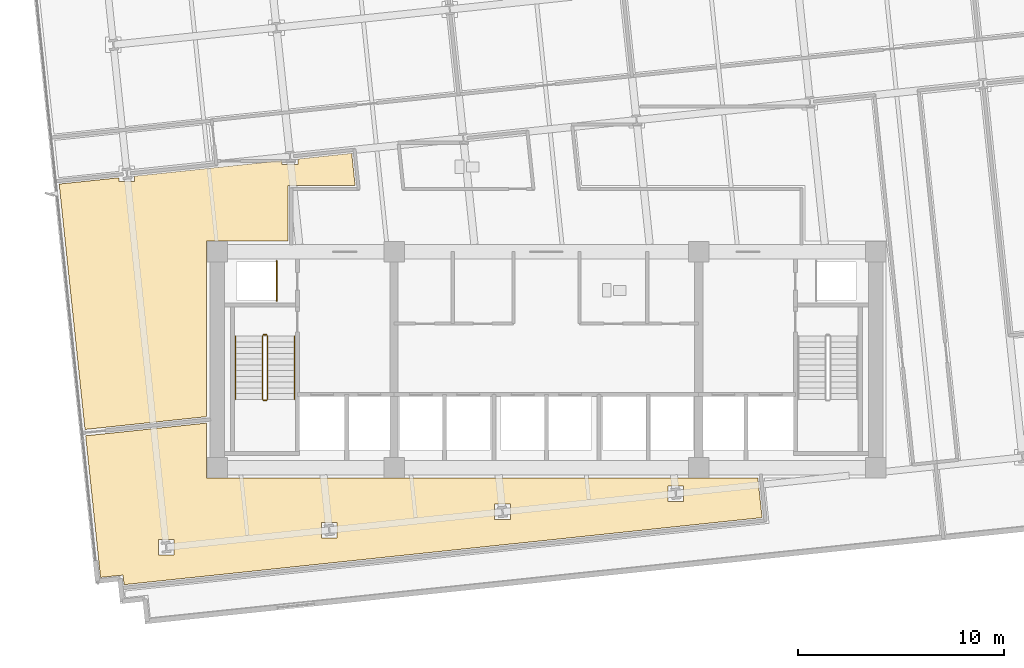
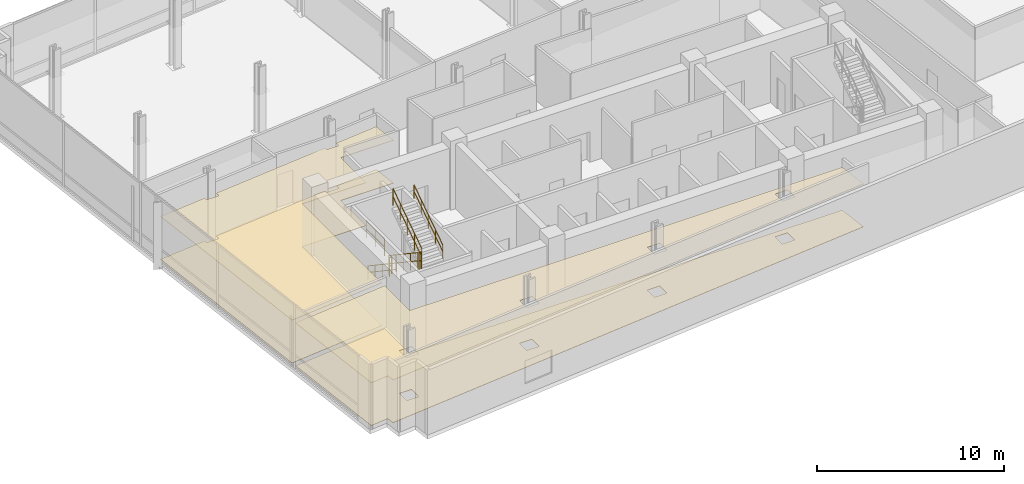
# One storey, part 16 of 20: 7 railings, 4 coverings.
"""IFC4 building model written with IfcOpenShell, lengths in metres."""

from ifc_helpers import new_model, si_unit, direction, frame, origin, origin_2d, place, context, subcontext, project, spatial, polyline, circle, outline, extrude, material, layer, layer_set, type_object, element, save


model = new_model("IFC4")

# Units and contexts
model_context = context("Model", 3, precision=1e-05, world=origin(), true_north=direction((0.0, 1.0)))
body_context = subcontext(model_context, "Body", "Model", "MODEL_VIEW")
ifc_project = project(units=[si_unit("LENGTHUNIT", "METRE"), si_unit("AREAUNIT", "SQUARE_METRE"), si_unit("VOLUMEUNIT", "CUBIC_METRE"), si_unit("PLANEANGLEUNIT", "RADIAN"), si_unit("MASSUNIT", "GRAM", prefix="KILO")], contexts=[model_context])

# Site, building, storey
site_placement = place(None, origin())
site = spatial("IfcSite", under=ifc_project, at=site_placement, CompositionType="ELEMENT")
building_placement = place(site_placement, origin())
building = spatial("IfcBuilding", under=site, at=building_placement, Name="Solmavex Isthmus Hotel", CompositionType="ELEMENT")
storey_placement = place(building_placement, frame((0.0, 0.0, 101.85009765625)))
storey = spatial("IfcBuildingStorey", under=building, at=storey_placement, Name="L27", CompositionType="ELEMENT", Elevation=101.85009765625)

# Coverings
ifc_material_1 = material(Name="Gypsum plasterboard lining", Category="gypsum")
ifc_layer_1 = layer(ifc_material_1, 0.030029296875)
ifc_layer_set_1 = layer_set([ifc_layer_1], Name="Gypsum plasterboard lining")
covering_type_1 = type_object("IfcCoveringType", Name="COV-CEIL-GYP", PredefinedType="CEILING", material=ifc_layer_set_1)
covering_1_placement = place(storey_placement, frame((0.0, 0.0, 2.7998046875)))
element("IfcCovering", 1, at=covering_1_placement, inside=storey, type_object=covering_type_1, Name="Suspended Acoustic Ceiling L27-FL08", PredefinedType="CEILING", context=body_context, shape_type="SweptSolid", body=[
    extrude(outline(polyline([(-20.003173828125, 1.169921875), (-20.003173828125, 0.90576171875), (-20.76318359375, 0.90576171875), (-20.76318359375, 1.08984375), (-23.673583984375, 0.783935546875), (-23.05224609375, -5.12841796875), (-22.42041015625, -11.140380859375), (-16.5048828125, -10.5185546875), (-16.5048828125, -1.9951171875), (-12.554931640625, -1.9951171875), (-12.554931640625, 0.705078125), (-9.295654296875, 0.705078125), (-9.4609375, 2.27783203125), (-12.078857421875, 2.002685546875), (-12.078857421875, 1.738525390625), (-12.8388671875, 1.738525390625), (-12.8388671875, 1.9228515625), (-20.003173828125, 1.169921875)])), origin(), (0.0, 0.0, 1.0), 0.030029296875),
])
covering_2_placement = place(storey_placement, frame((0.0, 0.0, 2.7998046875)))
element("IfcCovering", 2, at=covering_2_placement, inside=storey, type_object=covering_type_1, Name="Suspended Acoustic Ceiling L27-FL10", PredefinedType="CEILING", context=body_context, shape_type="SweptSolid", body=[
    extrude(outline(polyline([(-20.57080078125, -18.2158203125), (-20.521484375, -18.68310546875), (10.477783203125, -15.425048828125), (10.27587890625, -13.5048828125), (-16.5048828125, -13.5048828125), (-16.5048828125, -10.830322265625), (-22.387939453125, -11.448486328125), (-21.7509765625, -17.51025390625), (-21.66455078125, -18.33056640625), (-20.57080078125, -18.2158203125)]), holes=[polyline([(5.908203125, -14.6416015625), (5.908203125, -13.881591796875), (6.668212890625, -13.881591796875), (6.668212890625, -14.6416015625), (5.908203125, -14.6416015625)]), polyline([(-2.511474609375, -15.5263671875), (-2.511474609375, -14.766357421875), (-1.75146484375, -14.766357421875), (-1.75146484375, -15.5263671875), (-2.511474609375, -15.5263671875)]), polyline([(-10.93115234375, -16.411376953125), (-10.93115234375, -15.6513671875), (-10.171142578125, -15.6513671875), (-10.171142578125, -16.411376953125), (-10.93115234375, -16.411376953125)]), polyline([(-18.85546875, -17.244384765625), (-18.85546875, -16.484375), (-18.095458984375, -16.484375), (-18.095458984375, -17.244384765625), (-18.85546875, -17.244384765625)])]), origin(), (0.0, 0.0, 1.0), 0.030029296875),
])
ifc_material_2 = material(Name="Travertine natural stone", Category="masonry")
ifc_layer_2 = layer(ifc_material_2, 0.02490234375)
ifc_layer_set_2 = layer_set([ifc_layer_2], Name="Travertine natural stone")
covering_type_2 = type_object("IfcCoveringType", Name="COV-FLOR-STN", PredefinedType="FLOORING", material=ifc_layer_set_2)
covering_3_placement = place(storey_placement, origin())
element("IfcCovering", 3, at=covering_3_placement, inside=storey, type_object=covering_type_2, Name="Stone and Timber Floor Finish L27-FL08", PredefinedType="FLOORING", context=body_context, shape_type="SweptSolid", body=[
    extrude(outline(polyline([(-20.003173828125, 1.169921875), (-20.003173828125, 0.90576171875), (-20.76318359375, 0.90576171875), (-20.76318359375, 1.08984375), (-23.673583984375, 0.783935546875), (-23.05224609375, -5.12841796875), (-22.42041015625, -11.140380859375), (-16.5048828125, -10.5185546875), (-16.5048828125, -1.9951171875), (-12.554931640625, -1.9951171875), (-12.554931640625, 0.705078125), (-9.295654296875, 0.705078125), (-9.4609375, 2.27783203125), (-12.078857421875, 2.002685546875), (-12.078857421875, 1.738525390625), (-12.8388671875, 1.738525390625), (-12.8388671875, 1.9228515625), (-20.003173828125, 1.169921875)])), origin(), (0.0, 0.0, 1.0), 0.02490234375),
])
covering_4_placement = place(storey_placement, origin())
element("IfcCovering", 4, at=covering_4_placement, inside=storey, type_object=covering_type_2, Name="Stone and Timber Floor Finish L27-FL10", PredefinedType="FLOORING", context=body_context, shape_type="SweptSolid", body=[
    extrude(outline(polyline([(-20.57080078125, -18.2158203125), (-20.521484375, -18.68310546875), (10.477783203125, -15.425048828125), (10.27587890625, -13.5048828125), (-16.5048828125, -13.5048828125), (-16.5048828125, -10.830322265625), (-22.387939453125, -11.448486328125), (-21.7509765625, -17.51025390625), (-21.66455078125, -18.33056640625), (-20.57080078125, -18.2158203125)]), holes=[polyline([(5.908203125, -14.6416015625), (5.908203125, -13.881591796875), (6.668212890625, -13.881591796875), (6.668212890625, -14.6416015625), (5.908203125, -14.6416015625)]), polyline([(-2.511474609375, -15.5263671875), (-2.511474609375, -14.766357421875), (-1.75146484375, -14.766357421875), (-1.75146484375, -15.5263671875), (-2.511474609375, -15.5263671875)]), polyline([(-10.93115234375, -16.411376953125), (-10.93115234375, -15.6513671875), (-10.171142578125, -15.6513671875), (-10.171142578125, -16.411376953125), (-10.93115234375, -16.411376953125)]), polyline([(-18.85546875, -17.244384765625), (-18.85546875, -16.484375), (-18.095458984375, -16.484375), (-18.095458984375, -17.244384765625), (-18.85546875, -17.244384765625)])]), origin(), (0.0, 0.0, 1.0), 0.02490234375),
])

# Railings
ifc_material_3 = material(Name="Clear low-E laminated glass", Category="glass")
ifc_layer_3 = layer(ifc_material_3, 0.080078125)
ifc_layer_set_3 = layer_set([ifc_layer_3], Name="Clear low-E laminated glass")
railing_type_1 = type_object("IfcRailingType", Name="RAIL-ATRIUM-1120", PredefinedType="BALUSTRADE", material=ifc_layer_set_3)
railing_1_placement = place(storey_placement, frame((-13.10009765625, -4.89990234375, 0.0)))
element("IfcRailing", 5, at=railing_1_placement, inside=storey, type_object=railing_type_1, Name="Guardrail Balustrade L27-RSW-01", PredefinedType="BALUSTRADE", context=body_context, shape_type="SweptSolid", body=[
    extrude(circle(Radius=0.02392578125, at=origin_2d()), frame((0.0, 0.0, 1.1259765625), z_axis=(0.0, 1.0, 0.0), x_axis=(-1.0, 0.0, 0.0)), (0.0, 0.0, 1.0), 1.949951171875),
    extrude(circle(Radius=0.02392578125, at=origin_2d()), frame((0.0, 0.0, 0.574951171875), z_axis=(0.0, 1.0, 0.0), x_axis=(-1.0, 0.0, 0.0)), (0.0, 0.0, 1.0), 1.949951171875),
    extrude(circle(Radius=0.02099609375, at=origin_2d()), origin(), (0.0, 0.0, 1.0), 1.101806640625),
    extrude(circle(Radius=0.02099609375, at=origin_2d()), frame((0.0, 0.97509765625, 0.0)), (0.0, 0.0, 1.0), 1.101806640625),
    extrude(circle(Radius=0.02099609375, at=origin_2d()), frame((0.0, 1.949951171875, 0.0)), (0.0, 0.0, 1.0), 1.101806640625),
])
ifc_material_4 = material(Name="Stainless steel 316", Category="steel")
ifc_layer_4 = layer(ifc_material_4, 0.06005859375)
ifc_layer_set_4 = layer_set([ifc_layer_4], Name="Stainless steel 316")
railing_type_2 = type_object("IfcRailingType", Name="RAIL-STAIR-GD", PredefinedType="GUARDRAIL", material=ifc_layer_set_4)
railing_2_placement = place(storey_placement, frame((-13.800048828125, -6.60009765625, 0.1875)))
element("IfcRailing", 6, at=railing_2_placement, inside=storey, type_object=railing_type_2, Name="L27 ST-1 stair guard 1", PredefinedType="GUARDRAIL", context=body_context, shape_type="SweptSolid", body=[
    extrude(circle(Radius=0.02392578125, at=origin_2d()), frame((0.0, 0.0, 1.09619140625), z_axis=(0.0, -0.830893310487, 0.556431762742), x_axis=(1.0, 0.0, 0.0)), (0.0, 0.0, 1.0), 3.70654296875),
    extrude(circle(Radius=0.02392578125, at=origin_2d()), frame((0.0, 0.0, 0.56005859375), z_axis=(0.0, -0.830893310487, 0.556431762742), x_axis=(1.0, 0.0, 0.0)), (0.0, 0.0, 1.0), 3.70654296875),
    extrude(circle(Radius=0.02099609375, at=origin_2d()), origin(), (0.0, 0.0, 1.0), 1.072021484375),
    extrude(circle(Radius=0.02099609375, at=origin_2d()), frame((0.0, -0.77001953125, 0.515625)), (0.0, 0.0, 1.0), 1.072021484375),
    extrude(circle(Radius=0.02099609375, at=origin_2d()), frame((0.0, -1.5400390625, 1.03125)), (0.0, 0.0, 1.0), 1.072021484375),
    extrude(circle(Radius=0.02099609375, at=origin_2d()), frame((0.0, -2.309814453125, 1.546875)), (0.0, 0.0, 1.0), 1.072021484375),
    extrude(circle(Radius=0.02099609375, at=origin_2d()), frame((0.0, -3.079833984375, 2.0625)), (0.0, 0.0, 1.0), 1.072021484375),
])
railing_3_placement = place(storey_placement, frame((-13.75, -9.72998046875, 2.25)))
element("IfcRailing", 7, at=railing_3_placement, inside=storey, type_object=railing_type_2, Name="L27 ST-1 stair guard 2", PredefinedType="GUARDRAIL", context=body_context, shape_type="SweptSolid", body=[
    extrude(circle(Radius=0.02392578125, at=origin_2d()), frame((0.0, 0.0, 1.09619140625), z_axis=(1.0, 0.0, 0.0), x_axis=(0.0, 1.0, 0.0)), (0.0, 0.0, 1.0), 0.14990234375),
    extrude(circle(Radius=0.02392578125, at=origin_2d()), frame((0.0, 0.0, 0.56005859375), z_axis=(1.0, 0.0, 0.0), x_axis=(0.0, 1.0, 0.0)), (0.0, 0.0, 1.0), 0.14990234375),
    extrude(circle(Radius=0.02099609375, at=origin_2d()), origin(), (0.0, 0.0, 1.0), 1.072021484375),
    extrude(circle(Radius=0.02099609375, at=origin_2d()), frame((0.14990234375, 0.0, 0.0)), (0.0, 0.0, 1.0), 1.072021484375),
])
railing_4_placement = place(storey_placement, frame((-13.550048828125, -9.679931640625, 2.4375)))
element("IfcRailing", 8, at=railing_4_placement, inside=storey, type_object=railing_type_2, Name="L27 ST-1 stair guard 3", PredefinedType="GUARDRAIL", context=body_context, shape_type="SweptSolid", body=[
    extrude(circle(Radius=0.02392578125, at=origin_2d()), frame((0.0, 0.0, 1.09619140625), z_axis=(0.0, 0.830893310487, 0.556431762742), x_axis=(-1.0, 0.0, 0.0)), (0.0, 0.0, 1.0), 3.70654296875),
    extrude(circle(Radius=0.02392578125, at=origin_2d()), frame((0.0, 0.0, 0.56005859375), z_axis=(0.0, 0.830893310487, 0.556431762742), x_axis=(-1.0, 0.0, 0.0)), (0.0, 0.0, 1.0), 3.70654296875),
    extrude(circle(Radius=0.02099609375, at=origin_2d()), origin(), (0.0, 0.0, 1.0), 1.072021484375),
    extrude(circle(Radius=0.02099609375, at=origin_2d()), frame((0.0, 0.77001953125, 0.515625)), (0.0, 0.0, 1.0), 1.072021484375),
    extrude(circle(Radius=0.02099609375, at=origin_2d()), frame((0.0, 1.5400390625, 1.03125)), (0.0, 0.0, 1.0), 1.072021484375),
    extrude(circle(Radius=0.02099609375, at=origin_2d()), frame((0.0, 2.309814453125, 1.546875)), (0.0, 0.0, 1.0), 1.072021484375),
    extrude(circle(Radius=0.02099609375, at=origin_2d()), frame((0.0, 3.079833984375, 2.0625)), (0.0, 0.0, 1.0), 1.072021484375),
])
railing_5_placement = place(storey_placement, frame((-13.75, -6.550048828125, 0.0)))
element("IfcRailing", 9, at=railing_5_placement, inside=storey, type_object=railing_type_2, Name="L27 ST-1 stair guard 4", PredefinedType="GUARDRAIL", context=body_context, shape_type="SweptSolid", body=[
    extrude(circle(Radius=0.02392578125, at=origin_2d()), frame((0.0, 0.0, 1.09619140625), z_axis=(1.0, 0.0, 0.0), x_axis=(0.0, 1.0, 0.0)), (0.0, 0.0, 1.0), 0.14990234375),
    extrude(circle(Radius=0.02392578125, at=origin_2d()), frame((0.0, 0.0, 0.56005859375), z_axis=(1.0, 0.0, 0.0), x_axis=(0.0, 1.0, 0.0)), (0.0, 0.0, 1.0), 0.14990234375),
    extrude(circle(Radius=0.02099609375, at=origin_2d()), origin(), (0.0, 0.0, 1.0), 1.072021484375),
    extrude(circle(Radius=0.02099609375, at=origin_2d()), frame((0.14990234375, 0.0, 0.0)), (0.0, 0.0, 1.0), 1.072021484375),
])
ifc_layer_5 = layer(ifc_material_4, 0.050048828125)
ifc_layer_set_5 = layer_set([ifc_layer_5], Name="Stainless steel 316")
railing_type_3 = type_object("IfcRailingType", Name="RAIL-STAIR-HR", PredefinedType="HANDRAIL", material=ifc_layer_set_5)
railing_6_placement = place(storey_placement, frame((-15.10009765625, -6.60009765625, 0.1875)))
element("IfcRailing", 10, at=railing_6_placement, inside=storey, type_object=railing_type_3, Name="L27 ST-1 stair handrail 1", PredefinedType="HANDRAIL", context=body_context, shape_type="SweptSolid", body=[
    extrude(circle(Radius=0.02392578125, at=origin_2d()), frame((0.0, 0.0, 0.8759765625), z_axis=(0.0, -0.830893310487, 0.556431762742), x_axis=(1.0, 0.0, 0.0)), (0.0, 0.0, 1.0), 3.70654296875),
    extrude(circle(Radius=0.02392578125, at=origin_2d()), frame((0.0, 0.0, 0.449951171875), z_axis=(0.0, -0.830893310487, 0.556431762742), x_axis=(1.0, 0.0, 0.0)), (0.0, 0.0, 1.0), 3.70654296875),
    extrude(circle(Radius=0.02099609375, at=origin_2d()), origin(), (0.0, 0.0, 1.0), 0.851806640625),
    extrude(circle(Radius=0.02099609375, at=origin_2d()), frame((0.0, -0.77001953125, 0.515625)), (0.0, 0.0, 1.0), 0.851806640625),
    extrude(circle(Radius=0.02099609375, at=origin_2d()), frame((0.0, -1.5400390625, 1.03125)), (0.0, 0.0, 1.0), 0.851806640625),
    extrude(circle(Radius=0.02099609375, at=origin_2d()), frame((0.0, -2.309814453125, 1.546875)), (0.0, 0.0, 1.0), 0.851806640625),
    extrude(circle(Radius=0.02099609375, at=origin_2d()), frame((0.0, -3.079833984375, 2.0625)), (0.0, 0.0, 1.0), 0.851806640625),
])
railing_7_placement = place(storey_placement, frame((-12.25, -9.679931640625, 2.4375)))
element("IfcRailing", 11, at=railing_7_placement, inside=storey, type_object=railing_type_3, Name="L27 ST-1 stair handrail 2", PredefinedType="HANDRAIL", context=body_context, shape_type="SweptSolid", body=[
    extrude(circle(Radius=0.02392578125, at=origin_2d()), frame((0.0, 0.0, 0.8759765625), z_axis=(0.0, 0.830893310487, 0.556431762742), x_axis=(-1.0, 0.0, 0.0)), (0.0, 0.0, 1.0), 3.70654296875),
    extrude(circle(Radius=0.02392578125, at=origin_2d()), frame((0.0, 0.0, 0.449951171875), z_axis=(0.0, 0.830893310487, 0.556431762742), x_axis=(-1.0, 0.0, 0.0)), (0.0, 0.0, 1.0), 3.70654296875),
    extrude(circle(Radius=0.02099609375, at=origin_2d()), origin(), (0.0, 0.0, 1.0), 0.851806640625),
    extrude(circle(Radius=0.02099609375, at=origin_2d()), frame((0.0, 0.77001953125, 0.515625)), (0.0, 0.0, 1.0), 0.851806640625),
    extrude(circle(Radius=0.02099609375, at=origin_2d()), frame((0.0, 1.5400390625, 1.03125)), (0.0, 0.0, 1.0), 0.851806640625),
    extrude(circle(Radius=0.02099609375, at=origin_2d()), frame((0.0, 2.309814453125, 1.546875)), (0.0, 0.0, 1.0), 0.851806640625),
    extrude(circle(Radius=0.02099609375, at=origin_2d()), frame((0.0, 3.079833984375, 2.0625)), (0.0, 0.0, 1.0), 0.851806640625),
])

save(model, "model.ifc")
